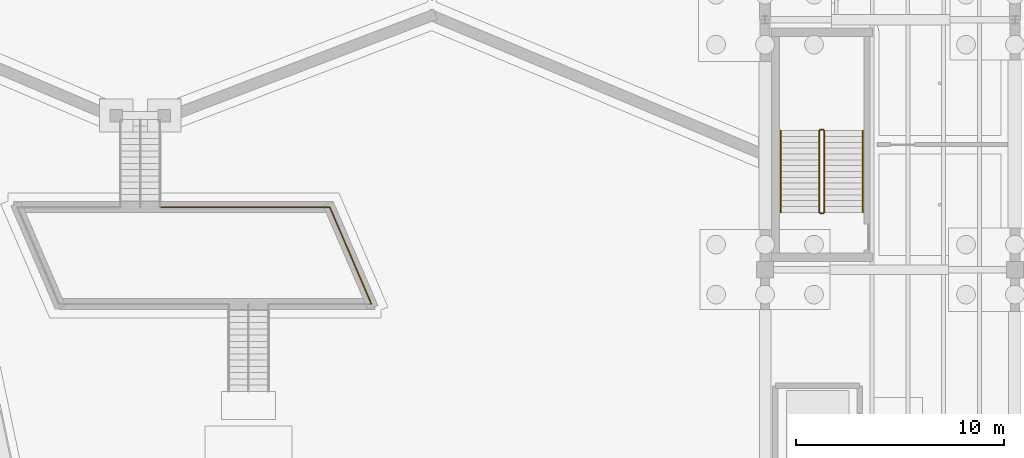
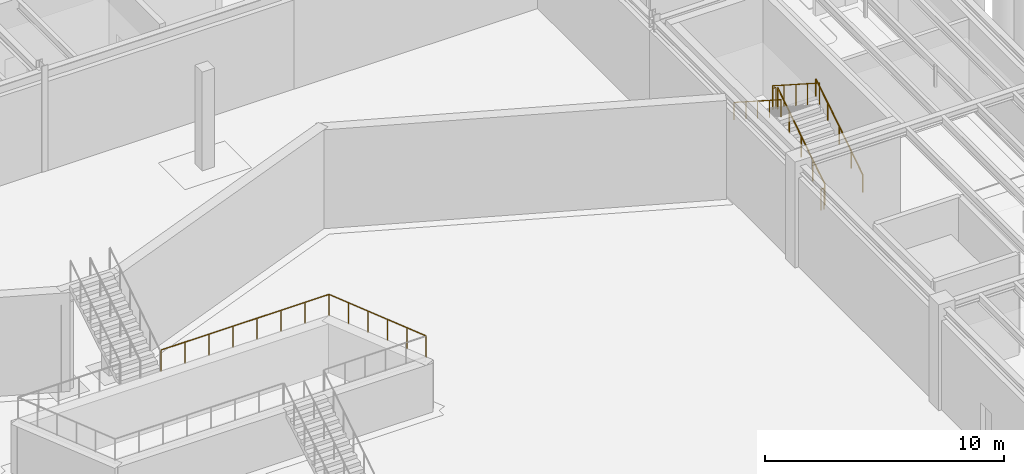
# One storey, part 59 of 67: 8 railings.
"""IFC4 building model written with IfcOpenShell, lengths in metres."""

from ifc_helpers import new_model, si_unit, direction, frame, origin, origin_2d, place, context, subcontext, project, spatial, circle, extrude, material, type_object, element, save


model = new_model("IFC4")

# Units and contexts
model_context = context("Model", 3, precision=1e-05, world=origin(), true_north=direction((0.0, 1.0)))
body_context = subcontext(model_context, "Body", "Model", "MODEL_VIEW")
ifc_project = project(units=[si_unit("LENGTHUNIT", "METRE"), si_unit("AREAUNIT", "SQUARE_METRE"), si_unit("VOLUMEUNIT", "CUBIC_METRE"), si_unit("PLANEANGLEUNIT", "RADIAN"), si_unit("MASSUNIT", "GRAM", prefix="KILO")], contexts=[model_context])

# Site, building, storey
site_placement = place(None, origin())
site = spatial("IfcSite", under=ifc_project, at=site_placement, CompositionType="ELEMENT")
building_placement = place(site_placement, origin())
building = spatial("IfcBuilding", under=site, at=building_placement, Name="Zlatogorsky Bluff Art Gallery", CompositionType="ELEMENT")
storey_placement = place(building_placement, frame((0.0, 0.0, -5.39990234375)))
storey = spatial("IfcBuildingStorey", under=building, at=storey_placement, Name="B1", CompositionType="ELEMENT", Elevation=-5.39990234375)

# Railings
ifc_material_1 = material(Name="Architectural Bronze and Laminated Glass", Category="glass")
railing_type_1 = type_object("IfcRailingType", Name="Gallery Guard Rail 1100mm", PredefinedType="GUARDRAIL", material=ifc_material_1)
railing_1_placement = place(storey_placement, frame((122.85009765625, 65.14990234375, 0.179931640625)))
element("IfcRailing", 1, at=railing_1_placement, inside=storey, type_object=railing_type_1, Name="B1 ST-06 stair guard 1", PredefinedType="GUARDRAIL", context=body_context, shape_type="SweptSolid", body=[
    extrude(circle(Radius=0.02392578125, at=origin_2d()), frame((0.0, 0.0, 1.076171875), z_axis=(0.0, 0.841186985886, 0.540744352514), x_axis=(-1.0, 0.0, 0.0)), (0.0, 0.0, 1.0), 4.660400390625),
    extrude(circle(Radius=0.02099609375, at=origin_2d()), origin(), (0.0, 0.0, 1.0), 1.052001953125),
    extrude(circle(Radius=0.02099609375, at=origin_2d()), frame((0.0, 0.97998046875, 0.6298828125)), (0.0, 0.0, 1.0), 1.052001953125),
    extrude(circle(Radius=0.02099609375, at=origin_2d()), frame((0.0, 1.9599609375, 1.260009765625)), (0.0, 0.0, 1.0), 1.052001953125),
    extrude(circle(Radius=0.02099609375, at=origin_2d()), frame((0.0, 2.940185546875, 1.89013671875)), (0.0, 0.0, 1.0), 1.052001953125),
    extrude(circle(Radius=0.02099609375, at=origin_2d()), frame((0.0, 3.920166015625, 2.52001953125)), (0.0, 0.0, 1.0), 1.052001953125),
])
railing_2_placement = place(storey_placement, frame((122.800048828125, 69.1201171875, 2.699951171875)))
element("IfcRailing", 2, at=railing_2_placement, inside=storey, type_object=railing_type_1, Name="B1 ST-06 stair guard 2", PredefinedType="GUARDRAIL", context=body_context, shape_type="SweptSolid", body=[
    extrude(circle(Radius=0.02392578125, at=origin_2d()), frame((0.0, 0.0, 1.076171875), z_axis=(-1.0, 0.0, 0.0), x_axis=(0.0, -1.0, 0.0)), (0.0, 0.0, 1.0), 0.150146484375),
    extrude(circle(Radius=0.02099609375, at=origin_2d()), origin(), (0.0, 0.0, 1.0), 1.052001953125),
    extrude(circle(Radius=0.02099609375, at=origin_2d()), frame((-0.150146484375, 0.0, 0.0)), (0.0, 0.0, 1.0), 1.052001953125),
])
railing_3_placement = place(storey_placement, frame((122.60009765625, 69.070068359375, 2.8798828125)))
element("IfcRailing", 3, at=railing_3_placement, inside=storey, type_object=railing_type_1, Name="B1 ST-06 stair guard 3", PredefinedType="GUARDRAIL", context=body_context, shape_type="SweptSolid", body=[
    extrude(circle(Radius=0.02392578125, at=origin_2d()), frame((0.0, 0.0, 1.076171875), z_axis=(0.0, -0.841186985886, 0.540744352514), x_axis=(1.0, 0.0, 0.0)), (0.0, 0.0, 1.0), 4.660400390625),
    extrude(circle(Radius=0.02099609375, at=origin_2d()), origin(), (0.0, 0.0, 1.0), 1.052001953125),
    extrude(circle(Radius=0.02099609375, at=origin_2d()), frame((0.0, -0.97998046875, 0.6298828125)), (0.0, 0.0, 1.0), 1.052001953125),
    extrude(circle(Radius=0.02099609375, at=origin_2d()), frame((0.0, -1.9599609375, 1.260009765625)), (0.0, 0.0, 1.0), 1.052001953125),
    extrude(circle(Radius=0.02099609375, at=origin_2d()), frame((0.0, -2.940185546875, 1.89013671875)), (0.0, 0.0, 1.0), 1.052001953125),
    extrude(circle(Radius=0.02099609375, at=origin_2d()), frame((0.0, -3.920166015625, 2.52001953125)), (0.0, 0.0, 1.0), 1.052001953125),
])
railing_4_placement = place(storey_placement, frame((122.800048828125, 65.10009765625, 0.0)))
element("IfcRailing", 4, at=railing_4_placement, inside=storey, type_object=railing_type_1, Name="B1 ST-06 stair guard 4", PredefinedType="GUARDRAIL", context=body_context, shape_type="SweptSolid", body=[
    extrude(circle(Radius=0.02392578125, at=origin_2d()), frame((0.0, 0.0, 1.076171875), z_axis=(-1.0, 0.0, 0.0), x_axis=(0.0, -1.0, 0.0)), (0.0, 0.0, 1.0), 0.150146484375),
    extrude(circle(Radius=0.02099609375, at=origin_2d()), origin(), (0.0, 0.0, 1.0), 1.052001953125),
    extrude(circle(Radius=0.02099609375, at=origin_2d()), frame((-0.150146484375, 0.0, 0.0)), (0.0, 0.0, 1.0), 1.052001953125),
])
railing_5_placement = place(storey_placement, frame((101.10009765625, 60.75, 2.699951171875)))
element("IfcRailing", 5, at=railing_5_placement, inside=storey, type_object=railing_type_1, Name="ST-AMP-2 mid-terrace guardrail 3", PredefinedType="GUARDRAIL", context=body_context, shape_type="SweptSolid", body=[
    extrude(circle(Radius=0.02392578125, at=origin_2d()), frame((0.0, 0.0, 1.076171875), z_axis=(-0.395118115417, 0.918630325468, 0.0), x_axis=(-0.918630325468, -0.395118115417, 0.0)), (0.0, 0.0, 1.0), 5.061767578125),
    extrude(circle(Radius=0.02099609375, at=origin_2d()), origin(), (0.0, 0.0, 1.0), 1.052001953125),
    extrude(circle(Radius=0.02099609375, at=origin_2d()), frame((-0.39990234375, 0.929931640625, 0.0)), (0.0, 0.0, 1.0), 1.052001953125),
    extrude(circle(Radius=0.02099609375, at=origin_2d()), frame((-0.800048828125, 1.85986328125, 0.0)), (0.0, 0.0, 1.0), 1.052001953125),
    extrude(circle(Radius=0.02099609375, at=origin_2d()), frame((-1.199951171875, 2.7900390625, 0.0)), (0.0, 0.0, 1.0), 1.052001953125),
    extrude(circle(Radius=0.02099609375, at=origin_2d()), frame((-1.60009765625, 3.719970703125, 0.0)), (0.0, 0.0, 1.0), 1.052001953125),
    extrude(circle(Radius=0.02099609375, at=origin_2d()), frame((-2.0, 4.64990234375, 0.0)), (0.0, 0.0, 1.0), 1.052001953125),
])
railing_6_placement = place(storey_placement, frame((99.10009765625, 65.39990234375, 2.699951171875)))
element("IfcRailing", 6, at=railing_6_placement, inside=storey, type_object=railing_type_1, Name="ST-AMP-2 mid-terrace guardrail 4", PredefinedType="GUARDRAIL", context=body_context, shape_type="SweptSolid", body=[
    extrude(circle(Radius=0.02392578125, at=origin_2d()), frame((0.0, 0.0, 1.076171875), z_axis=(-1.0, 0.0, 0.0), x_axis=(0.0, -1.0, 0.0)), (0.0, 0.0, 1.0), 8.10009765625),
    extrude(circle(Radius=0.02099609375, at=origin_2d()), origin(), (0.0, 0.0, 1.0), 1.052001953125),
    extrude(circle(Radius=0.02099609375, at=origin_2d()), frame((-1.1572265625, 0.0, 0.0)), (0.0, 0.0, 1.0), 1.052001953125),
    extrude(circle(Radius=0.02099609375, at=origin_2d()), frame((-2.314208984375, 0.0, 0.0)), (0.0, 0.0, 1.0), 1.052001953125),
    extrude(circle(Radius=0.02099609375, at=origin_2d()), frame((-3.471435546875, 0.0, 0.0)), (0.0, 0.0, 1.0), 1.052001953125),
    extrude(circle(Radius=0.02099609375, at=origin_2d()), frame((-4.628662109375, 0.0, 0.0)), (0.0, 0.0, 1.0), 1.052001953125),
    extrude(circle(Radius=0.02099609375, at=origin_2d()), frame((-5.785888671875, 0.0, 0.0)), (0.0, 0.0, 1.0), 1.052001953125),
    extrude(circle(Radius=0.02099609375, at=origin_2d()), frame((-6.94287109375, 0.0, 0.0)), (0.0, 0.0, 1.0), 1.052001953125),
    extrude(circle(Radius=0.02099609375, at=origin_2d()), frame((-8.10009765625, 0.0, 0.0)), (0.0, 0.0, 1.0), 1.052001953125),
])
ifc_material_2 = material(Name="Brushed Stainless Steel", Category="steel")
railing_type_2 = type_object("IfcRailingType", Name="Stair Pitch Handrail 900mm", PredefinedType="HANDRAIL", material=ifc_material_2)
railing_7_placement = place(storey_placement, frame((124.699951171875, 65.14990234375, 0.179931640625)))
element("IfcRailing", 7, at=railing_7_placement, inside=storey, type_object=railing_type_2, Name="B1 ST-06 stair handrail 1", PredefinedType="HANDRAIL", context=body_context, shape_type="SweptSolid", body=[
    extrude(circle(Radius=0.02392578125, at=origin_2d()), frame((0.0, 0.0, 0.8759765625), z_axis=(0.0, 0.841186985886, 0.540744352514), x_axis=(-1.0, 0.0, 0.0)), (0.0, 0.0, 1.0), 4.660400390625),
    extrude(circle(Radius=0.02099609375, at=origin_2d()), origin(), (0.0, 0.0, 1.0), 0.851806640625),
    extrude(circle(Radius=0.02099609375, at=origin_2d()), frame((0.0, 0.97998046875, 0.6298828125)), (0.0, 0.0, 1.0), 0.851806640625),
    extrude(circle(Radius=0.02099609375, at=origin_2d()), frame((0.0, 1.9599609375, 1.260009765625)), (0.0, 0.0, 1.0), 0.851806640625),
    extrude(circle(Radius=0.02099609375, at=origin_2d()), frame((0.0, 2.940185546875, 1.89013671875)), (0.0, 0.0, 1.0), 0.851806640625),
    extrude(circle(Radius=0.02099609375, at=origin_2d()), frame((0.0, 3.920166015625, 2.52001953125)), (0.0, 0.0, 1.0), 0.851806640625),
])
railing_8_placement = place(storey_placement, frame((120.75, 69.070068359375, 2.8798828125)))
element("IfcRailing", 8, at=railing_8_placement, inside=storey, type_object=railing_type_2, Name="B1 ST-06 stair handrail 2", PredefinedType="HANDRAIL", context=body_context, shape_type="SweptSolid", body=[
    extrude(circle(Radius=0.02392578125, at=origin_2d()), frame((0.0, 0.0, 0.8759765625), z_axis=(0.0, -0.841186985886, 0.540744352514), x_axis=(1.0, 0.0, 0.0)), (0.0, 0.0, 1.0), 4.660400390625),
    extrude(circle(Radius=0.02099609375, at=origin_2d()), origin(), (0.0, 0.0, 1.0), 0.851806640625),
    extrude(circle(Radius=0.02099609375, at=origin_2d()), frame((0.0, -0.97998046875, 0.6298828125)), (0.0, 0.0, 1.0), 0.851806640625),
    extrude(circle(Radius=0.02099609375, at=origin_2d()), frame((0.0, -1.9599609375, 1.260009765625)), (0.0, 0.0, 1.0), 0.851806640625),
    extrude(circle(Radius=0.02099609375, at=origin_2d()), frame((0.0, -2.940185546875, 1.89013671875)), (0.0, 0.0, 1.0), 0.851806640625),
    extrude(circle(Radius=0.02099609375, at=origin_2d()), frame((0.0, -3.920166015625, 2.52001953125)), (0.0, 0.0, 1.0), 0.851806640625),
])

save(model, "model.ifc")
